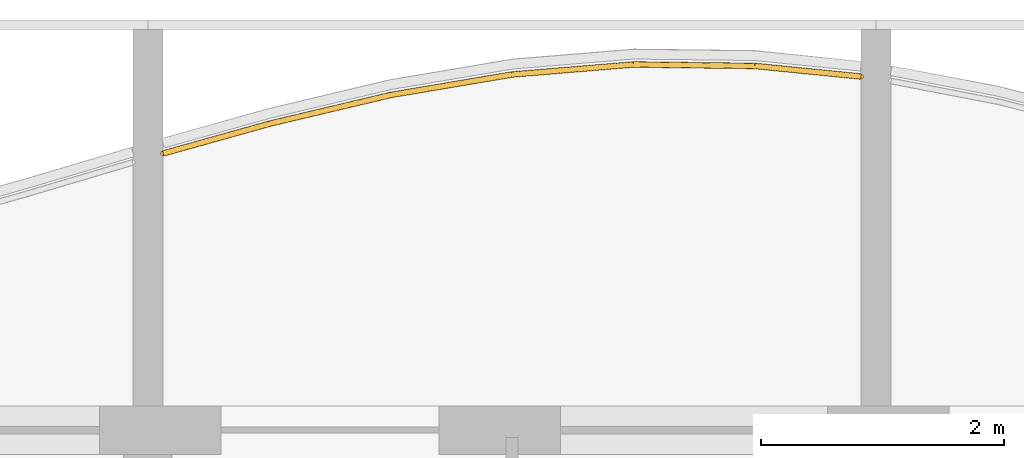
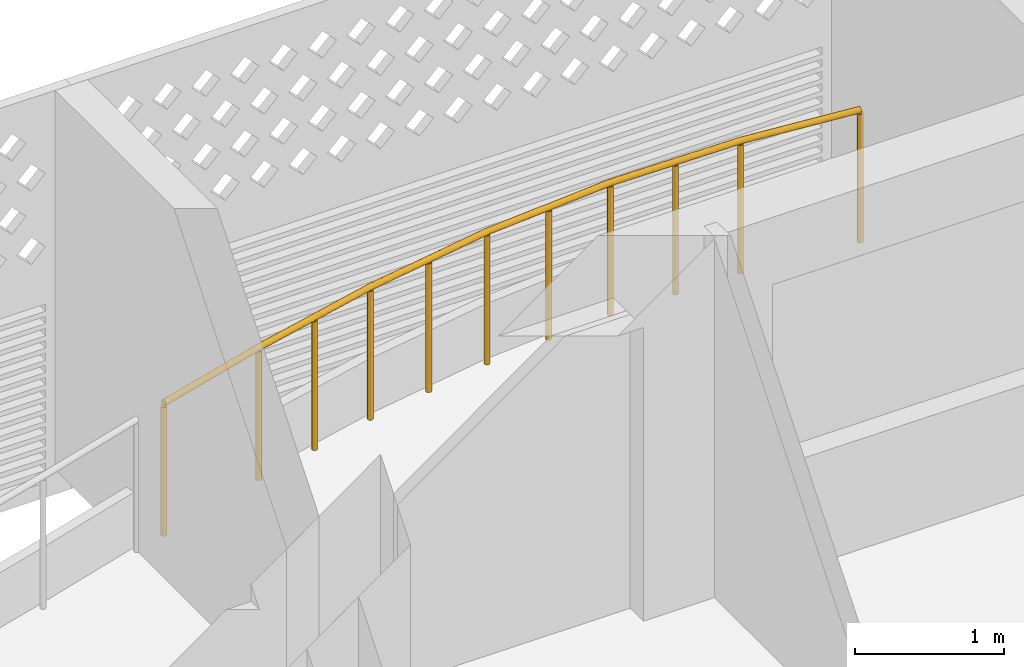
# One storey, part 36 of 39: 1 railing.
"""IFC4 building model written with IfcOpenShell, lengths in metres."""

from ifc_helpers import new_model, si_unit, direction, frame, origin, origin_2d, place, context, subcontext, project, spatial, circle, extrude, material, type_object, element, save


model = new_model("IFC4")

# Units and contexts
model_context = context("Model", 3, precision=1e-05, world=origin(), true_north=direction((0.0, 1.0)))
body_context = subcontext(model_context, "Body", "Model", "MODEL_VIEW")
ifc_project = project(units=[si_unit("LENGTHUNIT", "METRE"), si_unit("AREAUNIT", "SQUARE_METRE"), si_unit("VOLUMEUNIT", "CUBIC_METRE"), si_unit("PLANEANGLEUNIT", "RADIAN"), si_unit("MASSUNIT", "GRAM", prefix="KILO")], contexts=[model_context])

# Site, building, storey
site_placement = place(None, origin())
site = spatial("IfcSite", under=ifc_project, at=site_placement, CompositionType="ELEMENT")
building_placement = place(site_placement, origin())
building = spatial("IfcBuilding", under=site, at=building_placement, Name="Poui Terraces", CompositionType="ELEMENT")
storey_placement = place(building_placement, frame((0.0, 0.0, 63.0)))
storey = spatial("IfcBuildingStorey", under=building, at=storey_placement, Name="L17", CompositionType="ELEMENT", Elevation=63.0)

# Railing
ifc_material = material(Name="Painted steel fretwork", Category="steel")
railing_type = type_object("IfcRailingType", Name="BALCONY GUARD 1100", PredefinedType="GUARDRAIL", material=ifc_material)
railing_placement = place(storey_placement, frame((72.125, 47.080078125, 0.0)))
element("IfcRailing", 1, at=railing_placement, inside=storey, type_object=railing_type, Name="BALCONY GUARD", PredefinedType="GUARDRAIL", context=body_context, shape_type="SweptSolid", body=[
    extrude(circle(Radius=0.02392578125, at=origin_2d()), frame((0.0, 0.0, 1.076171875), z_axis=(0.963000288712, 0.269500359815, 0.0), x_axis=(-0.269500359815, 0.963000288712, 0.0)), (0.0, 0.0, 1.0), 0.90869140625),
    extrude(circle(Radius=0.02392578125, at=origin_2d()), frame((0.875, 0.244873046875, 1.076171875), z_axis=(0.973032599544, 0.230667640175, 0.0), x_axis=(-0.230667640175, 0.973032599544, 0.0)), (0.0, 0.0, 1.0), 1.02783203125),
    extrude(circle(Radius=0.02392578125, at=origin_2d()), frame((1.875, 0.48193359375, 1.076171875), z_axis=(0.986066669641, 0.166350602715, 0.0), x_axis=(-0.166350602715, 0.986066669641, 0.0)), (0.0, 0.0, 1.0), 1.01416015625),
    extrude(circle(Radius=0.02392578125, at=origin_2d()), frame((2.875, 0.650634765625, 1.076171875), z_axis=(0.99661255374, 0.082240000773, 0.0), x_axis=(-0.082240000773, 0.99661255374, 0.0)), (0.0, 0.0, 1.0), 1.00341796875),
    extrude(circle(Radius=0.02392578125, at=origin_2d()), frame((3.875, 0.733154296875, 1.076171875), z_axis=(0.999928452303, -0.011962034708, 0.0), x_axis=(0.011962034708, 0.999928452303, 0.0)), (0.0, 0.0, 1.0), 1.0),
    extrude(circle(Radius=0.02392578125, at=origin_2d()), frame((4.875, 0.72119140625, 1.076171875), z_axis=(0.995075601073, -0.099118858701, 0.0), x_axis=(0.099118858701, 0.995075601073, 0.0)), (0.0, 0.0, 1.0), 0.87939453125),
    extrude(circle(Radius=0.02099609375, at=origin_2d()), origin(), (0.0, 0.0, 1.0), 1.052001953125),
    extrude(circle(Radius=0.02099609375, at=origin_2d()), frame((0.875, 0.244873046875, 0.0)), (0.0, 0.0, 1.0), 1.052001953125),
    extrude(circle(Radius=0.02099609375, at=origin_2d()), frame((1.375, 0.36328125, 0.0)), (0.0, 0.0, 1.0), 1.052001953125),
    extrude(circle(Radius=0.02099609375, at=origin_2d()), frame((1.875, 0.48193359375, 0.0)), (0.0, 0.0, 1.0), 1.052001953125),
    extrude(circle(Radius=0.02099609375, at=origin_2d()), frame((2.375, 0.56640625, 0.0)), (0.0, 0.0, 1.0), 1.052001953125),
    extrude(circle(Radius=0.02099609375, at=origin_2d()), frame((2.875, 0.650634765625, 0.0)), (0.0, 0.0, 1.0), 1.052001953125),
    extrude(circle(Radius=0.02099609375, at=origin_2d()), frame((3.375, 0.69189453125, 0.0)), (0.0, 0.0, 1.0), 1.052001953125),
    extrude(circle(Radius=0.02099609375, at=origin_2d()), frame((3.875, 0.733154296875, 0.0)), (0.0, 0.0, 1.0), 1.052001953125),
    extrude(circle(Radius=0.02099609375, at=origin_2d()), frame((4.375, 0.72705078125, 0.0)), (0.0, 0.0, 1.0), 1.052001953125),
    extrude(circle(Radius=0.02099609375, at=origin_2d()), frame((4.875, 0.72119140625, 0.0)), (0.0, 0.0, 1.0), 1.052001953125),
    extrude(circle(Radius=0.02099609375, at=origin_2d()), frame((5.75, 0.634033203125, 0.0)), (0.0, 0.0, 1.0), 1.052001953125),
])

save(model, "model.ifc")
